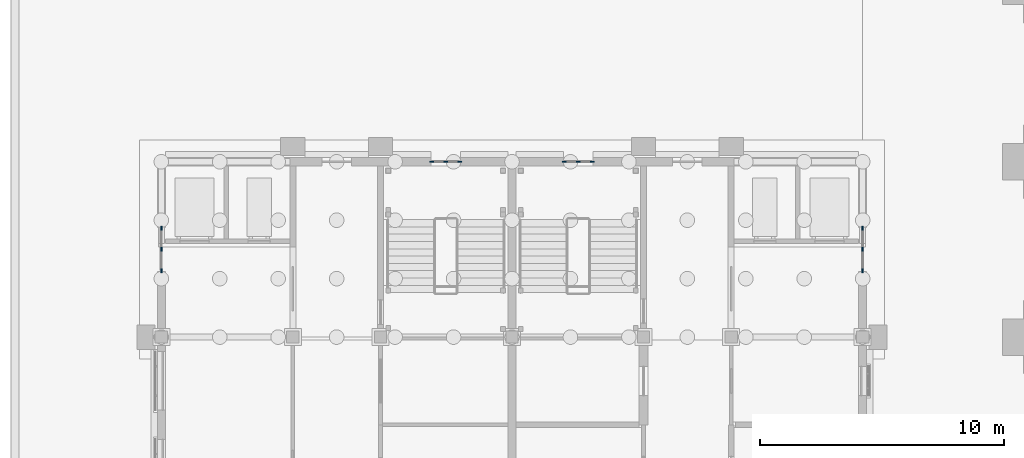
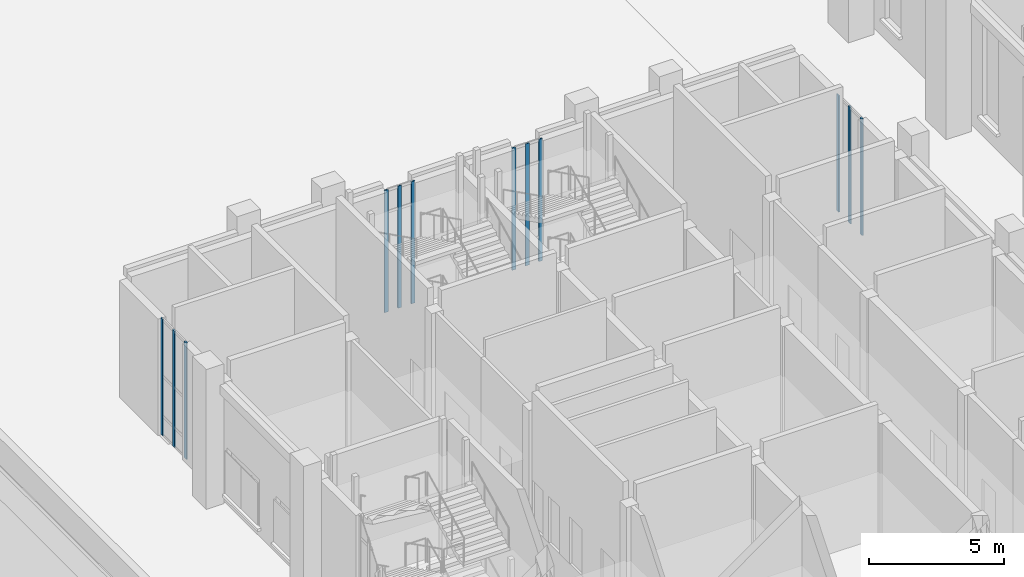
# One storey, part 10 of 84: 12 members, 4 elements without a shape of their own.
"""IFC4 building model written with IfcOpenShell, lengths in metres."""

from ifc_helpers import new_model, si_unit, direction, frame, origin, origin_2d, place, context, subcontext, project, spatial, rectangle, extrude, material, layer, layer_set, material_profile, profile_set, type_object, element, aggregate, save


model = new_model("IFC4")

# Units and contexts
model_context = context("Model", 3, precision=1e-05, world=origin(), true_north=direction((0.0, 1.0)))
body_context = subcontext(model_context, "Body", "Model", "MODEL_VIEW")
ifc_project = project(units=[si_unit("LENGTHUNIT", "METRE"), si_unit("AREAUNIT", "SQUARE_METRE"), si_unit("VOLUMEUNIT", "CUBIC_METRE"), si_unit("PLANEANGLEUNIT", "RADIAN"), si_unit("MASSUNIT", "GRAM", prefix="KILO")], contexts=[model_context])

# Site, building, storey
site_placement = place(None, origin())
site = spatial("IfcSite", under=ifc_project, at=site_placement, CompositionType="ELEMENT")
building_placement = place(site_placement, origin())
building = spatial("IfcBuilding", under=site, at=building_placement, Name="Mazhai Court Health Centre", CompositionType="ELEMENT")
storey_placement = place(building_placement, origin())
storey = spatial("IfcBuildingStorey", under=building, at=storey_placement, Name="L00", CompositionType="ELEMENT", Elevation=0.0)

# Curtain wall, members
ifc_material_1 = material(Name="Teak timber frame, glazed", Category="wood")
ifc_layer_1 = layer(ifc_material_1, 0.10009765625)
ifc_layer_set_1 = layer_set([ifc_layer_1], Name="CURTAIN WALL TIMBER 900")
curtain_wall_type_1 = type_object("IfcCurtainWallType", Name="CURTAIN WALL TIMBER 900", PredefinedType="NOTDEFINED", material=ifc_layer_set_1)
curtain_wall_1_placement = place(storey_placement, origin())
curtain_wall_1 = element("IfcCurtainWall", 1, at=curtain_wall_1_placement, inside=storey, type_object=curtain_wall_type_1, Name="CW-V2-L00-A4", PredefinedType="NOTDEFINED")
ifc_material_2 = material(Name="Teak timber", Category="wood")
ifc_material_profile = material_profile(ifc_material_2, rectangle(XDim=0.06005859375, YDim=0.159912109375, at=origin_2d()), Name="CW MULLION 60x160")
ifc_profile_set = profile_set([ifc_material_profile], Name="Teak timber")
member_type = type_object("IfcMemberType", Name="CW MULLION 60x160", PredefinedType="MULLION", material=ifc_profile_set)
member_1_placement = place(storey_placement, frame((6.199951171875, 37.72998046875, 0.0), z_axis=(0.0, 0.0, 1.0), x_axis=(-1.0, 0.0, 0.0)))
member_1 = element("IfcMember", 2, at=member_1_placement, type_object=member_type, Name="CW mullion 1", PredefinedType="MULLION", context=body_context, shape_type="SweptSolid", body=[
    extrude(rectangle(XDim=0.06005859375, YDim=0.159912109375, at=origin_2d()), origin(), (0.0, 0.0, 1.0), 5.25),
])
member_2_placement = place(storey_placement, frame((6.199951171875, 38.60009765625, 0.0), z_axis=(0.0, 0.0, 1.0), x_axis=(-1.0, 0.0, 0.0)))
member_2 = element("IfcMember", 3, at=member_2_placement, type_object=member_type, Name="CW mullion 2", PredefinedType="MULLION", context=body_context, shape_type="SweptSolid", body=[
    extrude(rectangle(XDim=0.06005859375, YDim=0.159912109375, at=origin_2d()), origin(), (0.0, 0.0, 1.0), 5.25),
])
member_3_placement = place(storey_placement, frame((6.199951171875, 39.469970703125, 0.0), z_axis=(0.0, 0.0, 1.0), x_axis=(-1.0, 0.0, 0.0)))
member_3 = element("IfcMember", 4, at=member_3_placement, type_object=member_type, Name="CW mullion 3", PredefinedType="MULLION", context=body_context, shape_type="SweptSolid", body=[
    extrude(rectangle(XDim=0.06005859375, YDim=0.159912109375, at=origin_2d()), origin(), (0.0, 0.0, 1.0), 5.25),
])
aggregate(curtain_wall_1, [member_1, member_2, member_3])

ifc_material_3 = material(Name="Teak timber frame, glazed", Category="wood")
ifc_layer_2 = layer(ifc_material_3, 0.10009765625)
ifc_layer_set_2 = layer_set([ifc_layer_2], Name="CURTAIN WALL TIMBER 600")
curtain_wall_type_2 = type_object("IfcCurtainWallType", Name="CURTAIN WALL TIMBER 600", PredefinedType="NOTDEFINED", material=ifc_layer_set_2)
curtain_wall_2_placement = place(storey_placement, origin())
curtain_wall_2 = element("IfcCurtainWall", 5, at=curtain_wall_2_placement, inside=storey, type_object=curtain_wall_type_2, Name="CW-V2-L00-ESTAIR0", PredefinedType="NOTDEFINED")
member_4_placement = place(storey_placement, frame((17.31005859375, 42.199951171875, 0.0), z_axis=(0.0, 0.0, 1.0), x_axis=(0.0, 1.0, 0.0)))
member_4 = element("IfcMember", 6, at=member_4_placement, type_object=member_type, Name="CW mullion 1", PredefinedType="MULLION", context=body_context, shape_type="SweptSolid", body=[
    extrude(rectangle(XDim=0.06005859375, YDim=0.159912109375, at=origin_2d()), origin(), (0.0, 0.0, 1.0), 5.5),
])
member_5_placement = place(storey_placement, frame((17.8798828125, 42.199951171875, 0.0), z_axis=(0.0, 0.0, 1.0), x_axis=(0.0, 1.0, 0.0)))
member_5 = element("IfcMember", 7, at=member_5_placement, type_object=member_type, Name="CW mullion 2", PredefinedType="MULLION", context=body_context, shape_type="SweptSolid", body=[
    extrude(rectangle(XDim=0.06005859375, YDim=0.159912109375, at=origin_2d()), origin(), (0.0, 0.0, 1.0), 5.5),
])
member_6_placement = place(storey_placement, frame((18.449951171875, 42.199951171875, 0.0), z_axis=(0.0, 0.0, 1.0), x_axis=(0.0, 1.0, 0.0)))
member_6 = element("IfcMember", 8, at=member_6_placement, type_object=member_type, Name="CW mullion 3", PredefinedType="MULLION", context=body_context, shape_type="SweptSolid", body=[
    extrude(rectangle(XDim=0.06005859375, YDim=0.159912109375, at=origin_2d()), origin(), (0.0, 0.0, 1.0), 5.5),
])
aggregate(curtain_wall_2, [member_4, member_5, member_6])

curtain_wall_3_placement = place(storey_placement, origin())
curtain_wall_3 = element("IfcCurtainWall", 9, at=curtain_wall_3_placement, inside=storey, type_object=curtain_wall_type_1, Name="CW-V5-L00-B4", PredefinedType="NOTDEFINED")
member_7_placement = place(storey_placement, frame((35.0, 39.469970703125, 0.0), z_axis=(0.0, 0.0, 1.0), x_axis=(1.0, 0.0, 0.0)))
member_7 = element("IfcMember", 10, at=member_7_placement, type_object=member_type, Name="CW mullion 1", PredefinedType="MULLION", context=body_context, shape_type="SweptSolid", body=[
    extrude(rectangle(XDim=0.06005859375, YDim=0.159912109375, at=origin_2d()), origin(), (0.0, 0.0, 1.0), 5.25),
])
member_8_placement = place(storey_placement, frame((35.0, 38.60009765625, 0.0), z_axis=(0.0, 0.0, 1.0), x_axis=(1.0, 0.0, 0.0)))
member_8 = element("IfcMember", 11, at=member_8_placement, type_object=member_type, Name="CW mullion 2", PredefinedType="MULLION", context=body_context, shape_type="SweptSolid", body=[
    extrude(rectangle(XDim=0.06005859375, YDim=0.159912109375, at=origin_2d()), origin(), (0.0, 0.0, 1.0), 5.25),
])
member_9_placement = place(storey_placement, frame((35.0, 37.72998046875, 0.0), z_axis=(0.0, 0.0, 1.0), x_axis=(1.0, 0.0, 0.0)))
member_9 = element("IfcMember", 12, at=member_9_placement, type_object=member_type, Name="CW mullion 3", PredefinedType="MULLION", context=body_context, shape_type="SweptSolid", body=[
    extrude(rectangle(XDim=0.06005859375, YDim=0.159912109375, at=origin_2d()), origin(), (0.0, 0.0, 1.0), 5.25),
])
aggregate(curtain_wall_3, [member_7, member_8, member_9])

curtain_wall_4_placement = place(storey_placement, origin())
curtain_wall_4 = element("IfcCurtainWall", 13, at=curtain_wall_4_placement, inside=storey, type_object=curtain_wall_type_2, Name="CW-V5-L00-ESTAIR0", PredefinedType="NOTDEFINED")
member_10_placement = place(storey_placement, frame((22.75, 42.199951171875, 0.0), z_axis=(0.0, 0.0, 1.0), x_axis=(0.0, 1.0, 0.0)))
member_10 = element("IfcMember", 14, at=member_10_placement, type_object=member_type, Name="CW mullion 1", PredefinedType="MULLION", context=body_context, shape_type="SweptSolid", body=[
    extrude(rectangle(XDim=0.06005859375, YDim=0.159912109375, at=origin_2d()), origin(), (0.0, 0.0, 1.0), 5.5),
])
member_11_placement = place(storey_placement, frame((23.320068359375, 42.199951171875, 0.0), z_axis=(0.0, 0.0, 1.0), x_axis=(0.0, 1.0, 0.0)))
member_11 = element("IfcMember", 15, at=member_11_placement, type_object=member_type, Name="CW mullion 2", PredefinedType="MULLION", context=body_context, shape_type="SweptSolid", body=[
    extrude(rectangle(XDim=0.06005859375, YDim=0.159912109375, at=origin_2d()), origin(), (0.0, 0.0, 1.0), 5.5),
])
member_12_placement = place(storey_placement, frame((23.889892578125, 42.199951171875, 0.0), z_axis=(0.0, 0.0, 1.0), x_axis=(0.0, 1.0, 0.0)))
member_12 = element("IfcMember", 16, at=member_12_placement, type_object=member_type, Name="CW mullion 3", PredefinedType="MULLION", context=body_context, shape_type="SweptSolid", body=[
    extrude(rectangle(XDim=0.06005859375, YDim=0.159912109375, at=origin_2d()), origin(), (0.0, 0.0, 1.0), 5.5),
])
aggregate(curtain_wall_4, [member_10, member_11, member_12])

save(model, "model.ifc")
